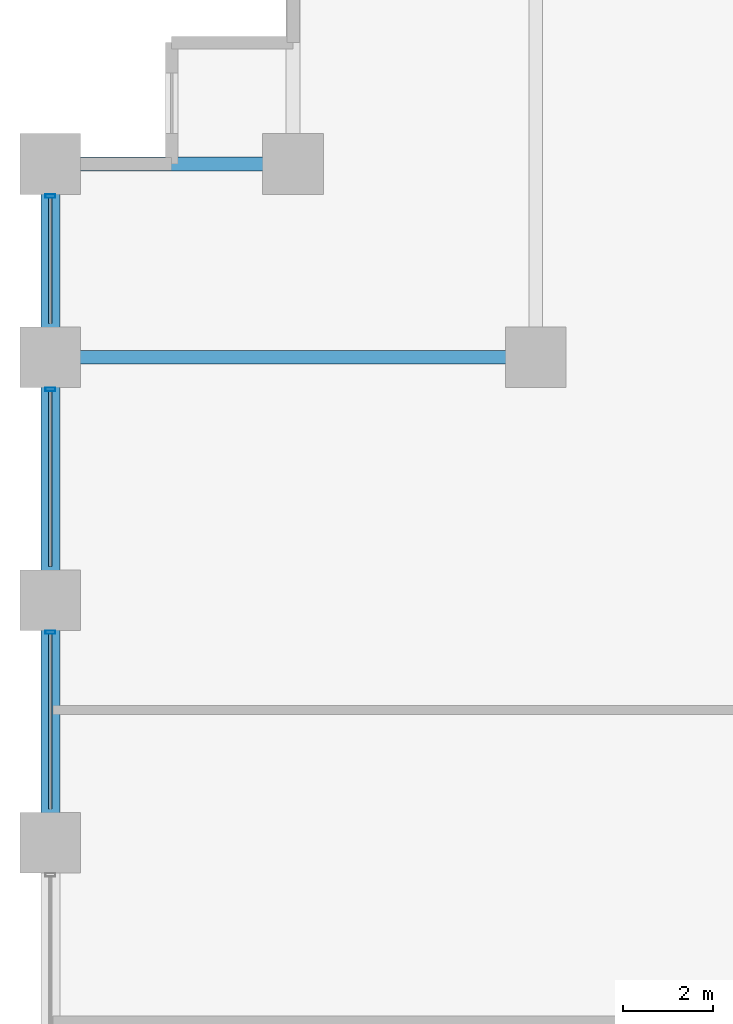
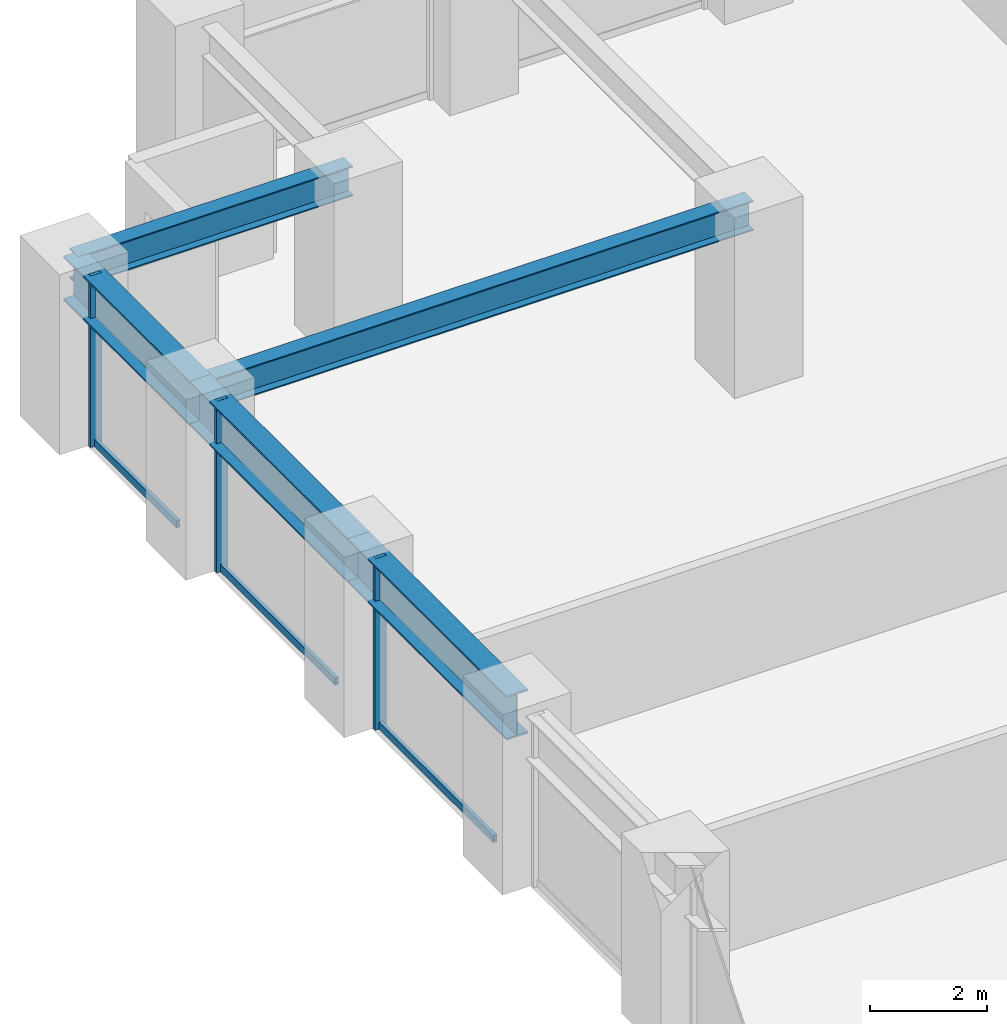
# One storey, part 10 of 24: 6 members, 5 beams, 1 element without a shape of its own.
"""IFC4 building model written with IfcOpenShell, lengths in metres."""

from ifc_helpers import new_model, si_unit, direction, frame, origin, origin_2d, place, context, subcontext, project, spatial, hollow_rectangle, i_section, extrude, material, layer, layer_set, material_profile, profile_set, type_object, element, aggregate, save


model = new_model("IFC4")

# Units and contexts
model_context = context("Model", 3, precision=1e-05, world=origin(), true_north=direction((0.0, 1.0)))
body_context = subcontext(model_context, "Body", "Model", "MODEL_VIEW")
ifc_project = project(units=[si_unit("LENGTHUNIT", "METRE"), si_unit("AREAUNIT", "SQUARE_METRE"), si_unit("VOLUMEUNIT", "CUBIC_METRE"), si_unit("PLANEANGLEUNIT", "RADIAN"), si_unit("MASSUNIT", "GRAM", prefix="KILO")], contexts=[model_context])

# Site, building, storey
site_placement = place(None, origin())
site = spatial("IfcSite", under=ifc_project, at=site_placement, CompositionType="ELEMENT")
building_placement = place(site_placement, origin())
building = spatial("IfcBuilding", under=site, at=building_placement, Name="Surkhivell Harbour Commons", CompositionType="ELEMENT")
storey_placement = place(building_placement, frame((0.0, 0.0, 26.25)))
storey = spatial("IfcBuildingStorey", under=building, at=storey_placement, Name="L06", CompositionType="ELEMENT", Elevation=26.25)

# Beams
ifc_material_1 = material(Name="Steel S355", Category="steel")
ifc_material_profile_1 = material_profile(ifc_material_1, i_section(OverallWidth=0.306884765625, OverallDepth=0.6201171875, WebThickness=0.01416015625, FlangeThickness=0.023681640625, at=origin_2d()), Name="UB610x305x179")
ifc_profile_set_1 = profile_set([ifc_material_profile_1], Name="Steel S355")
beam_type_1 = type_object("IfcBeamType", Name="BM-GRD-610A", PredefinedType="BEAM", material=ifc_profile_set_1)
beam_1_placement = place(storey_placement, frame((-32.39990234375, 16.199951171875, 3.260009765625), z_axis=(1.0, 0.0, 0.0), x_axis=(0.0, 1.0, 0.0)))
element("IfcBeam", 1, at=beam_1_placement, inside=storey, type_object=beam_type_1, Name="L06 Floor Girder (-32.4,16.2)", PredefinedType="BEAM", context=body_context, shape_type="SweptSolid", body=[
    extrude(i_section(OverallWidth=0.306884765625, OverallDepth=0.6201171875, WebThickness=0.01416015625, FlangeThickness=0.023681640625, at=origin_2d()), origin(), (0.0, 0.0, 1.0), 10.7998046875),
])
beam_2_placement = place(storey_placement, frame((-32.39990234375, 20.5, 3.260009765625), z_axis=(1.0, 0.0, 0.0), x_axis=(0.0, 1.0, 0.0)))
element("IfcBeam", 2, at=beam_2_placement, inside=storey, type_object=beam_type_1, Name="L06 Floor Girder (-32.4,20.5)", PredefinedType="BEAM", context=body_context, shape_type="SweptSolid", body=[
    extrude(i_section(OverallWidth=0.306884765625, OverallDepth=0.6201171875, WebThickness=0.01416015625, FlangeThickness=0.023681640625, at=origin_2d()), origin(), (0.0, 0.0, 1.0), 5.39990234375),
])
ifc_material_2 = material(Name="Steel S460", Category="steel")
ifc_material_profile_2 = material_profile(ifc_material_2, i_section(OverallWidth=0.419921875, OverallDepth=0.9208984375, WebThickness=0.021484375, FlangeThickness=0.03662109375, at=origin_2d()), Name="UB914x419x388")
ifc_profile_set_2 = profile_set([ifc_material_profile_2], Name="Steel S460")
beam_type_2 = type_object("IfcBeamType", Name="BM-SPN-914A", PredefinedType="SPANDREL", material=ifc_profile_set_2)
beam_3_placement = place(storey_placement, frame((-32.39990234375, 5.39990234375, 3.109619140625), z_axis=(0.0, 1.0, 0.0), x_axis=(-1.0, 0.0, 0.0)))
element("IfcBeam", 3, at=beam_3_placement, inside=storey, type_object=beam_type_2, Name="L06 Tube Spandrel (-32.4,5.4)", PredefinedType="SPANDREL", context=body_context, shape_type="SweptSolid", body=[
    extrude(i_section(OverallWidth=0.419921875, OverallDepth=0.9208984375, WebThickness=0.021484375, FlangeThickness=0.03662109375, at=origin_2d()), origin(), (0.0, 0.0, 1.0), 5.400146484375),
])
beam_4_placement = place(storey_placement, frame((-32.39990234375, 10.800048828125, 3.109619140625), z_axis=(0.0, 1.0, 0.0), x_axis=(-1.0, 0.0, 0.0)))
element("IfcBeam", 4, at=beam_4_placement, inside=storey, type_object=beam_type_2, Name="L06 Tube Spandrel (-32.4,10.8)", PredefinedType="SPANDREL", context=body_context, shape_type="SweptSolid", body=[
    extrude(i_section(OverallWidth=0.419921875, OverallDepth=0.9208984375, WebThickness=0.021484375, FlangeThickness=0.03662109375, at=origin_2d()), origin(), (0.0, 0.0, 1.0), 5.39990234375),
])
beam_5_placement = place(storey_placement, frame((-32.39990234375, 16.199951171875, 3.109619140625), z_axis=(0.0, 1.0, 0.0), x_axis=(-1.0, 0.0, 0.0)))
element("IfcBeam", 5, at=beam_5_placement, inside=storey, type_object=beam_type_2, Name="L06 Tube Spandrel (-32.4,16.2)", PredefinedType="SPANDREL", context=body_context, shape_type="SweptSolid", body=[
    extrude(i_section(OverallWidth=0.419921875, OverallDepth=0.9208984375, WebThickness=0.021484375, FlangeThickness=0.03662109375, at=origin_2d()), origin(), (0.0, 0.0, 1.0), 4.300048828125),
])

# Curtain wall, members
ifc_material_3 = material(Name="Anodised pale-metal aluminium and insulated glazing", Category="aluminium")
ifc_layer = layer(ifc_material_3, 0.219970703125)
ifc_layer_set = layer_set([ifc_layer], Name="Anodised pale-metal aluminium and insulated glazing")
curtain_wall_type = type_object("IfcCurtainWallType", Name="CW-SYS-Z1", PredefinedType="NOTDEFINED", material=ifc_layer_set)
curtain_wall_placement = place(storey_placement, origin())
curtain_wall = element("IfcCurtainWall", 6, at=curtain_wall_placement, inside=storey, type_object=curtain_wall_type, Name="L06 Curtain Wall CW-L06-E12S1", PredefinedType="NOTDEFINED")
ifc_material_4 = material(Name="Anodised pale-metal aluminium alloy 6063-T6", Category="aluminium")
ifc_material_profile_3 = material_profile(ifc_material_4, hollow_rectangle(XDim=0.074951171875, YDim=0.219970703125, WallThickness=0.00390625, at=origin_2d()), Name="ALU-MULL-75x220")
ifc_profile_set_3 = profile_set([ifc_material_profile_3], Name="Anodised pale-metal aluminium alloy 6063-T6")
member_type_1 = type_object("IfcMemberType", Name="CWM-220", PredefinedType="MULLION", material=ifc_profile_set_3)
member_1_placement = place(storey_placement, frame((-32.39990234375, 19.785400390625, 0.0), z_axis=(0.0, 0.0, 1.0), x_axis=(0.0, -1.0, 0.0)))
member_1 = element("IfcMember", 7, at=member_1_placement, type_object=member_type_1, Name="CW-Z1 mullion 1", PredefinedType="MULLION", context=body_context, shape_type="SweptSolid", body=[
    extrude(hollow_rectangle(XDim=0.074951171875, YDim=0.219970703125, WallThickness=0.00390625, at=origin_2d()), origin(), (0.0, 0.0, 1.0), 3.570068359375),
])
member_2_placement = place(storey_placement, frame((-32.39990234375, 15.485595703125, 0.0), z_axis=(0.0, 0.0, 1.0), x_axis=(0.0, -1.0, 0.0)))
member_2 = element("IfcMember", 8, at=member_2_placement, type_object=member_type_1, Name="CW-Z1 mullion 2", PredefinedType="MULLION", context=body_context, shape_type="SweptSolid", body=[
    extrude(hollow_rectangle(XDim=0.074951171875, YDim=0.219970703125, WallThickness=0.00390625, at=origin_2d()), origin(), (0.0, 0.0, 1.0), 3.570068359375),
])
member_3_placement = place(storey_placement, frame((-32.39990234375, 10.08544921875, 0.0), z_axis=(0.0, 0.0, 1.0), x_axis=(0.0, -1.0, 0.0)))
member_3 = element("IfcMember", 9, at=member_3_placement, type_object=member_type_1, Name="CW-Z1 mullion 3", PredefinedType="MULLION", context=body_context, shape_type="SweptSolid", body=[
    extrude(hollow_rectangle(XDim=0.074951171875, YDim=0.219970703125, WallThickness=0.00390625, at=origin_2d()), origin(), (0.0, 0.0, 1.0), 3.570068359375),
])
ifc_material_profile_4 = material_profile(ifc_material_4, hollow_rectangle(XDim=0.074951171875, YDim=0.14990234375, WallThickness=0.00341796875, at=origin_2d()), Name="ALU-TRAN-75x150")
ifc_profile_set_4 = profile_set([ifc_material_profile_4], Name="Anodised pale-metal aluminium alloy 6063-T6")
member_type_2 = type_object("IfcMemberType", Name="CWT-150", PredefinedType="USERDEFINED", material=ifc_profile_set_4)
member_4_placement = place(storey_placement, frame((-32.39990234375, 19.748046875, 0.074951171875), z_axis=(0.0, -1.0, 0.0), x_axis=(1.0, 0.0, 0.0)))
member_4 = element("IfcMember", 10, at=member_4_placement, type_object=member_type_2, Name="CW-Z1 transom 1.1", ObjectType="TRANSOM", PredefinedType="USERDEFINED", context=body_context, shape_type="SweptSolid", body=[
    extrude(hollow_rectangle(XDim=0.074951171875, YDim=0.14990234375, WallThickness=0.00341796875, at=origin_2d()), origin(), (0.0, 0.0, 1.0), 2.796142578125),
])
member_5_placement = place(storey_placement, frame((-32.39990234375, 15.447998046875, 0.074951171875), z_axis=(0.0, -1.0, 0.0), x_axis=(1.0, 0.0, 0.0)))
member_5 = element("IfcMember", 11, at=member_5_placement, type_object=member_type_2, Name="CW-Z1 transom 2.1", ObjectType="TRANSOM", PredefinedType="USERDEFINED", context=body_context, shape_type="SweptSolid", body=[
    extrude(hollow_rectangle(XDim=0.074951171875, YDim=0.14990234375, WallThickness=0.00341796875, at=origin_2d()), origin(), (0.0, 0.0, 1.0), 3.89599609375),
])
member_6_placement = place(storey_placement, frame((-32.39990234375, 10.048095703125, 0.074951171875), z_axis=(0.0, -1.0, 0.0), x_axis=(1.0, 0.0, 0.0)))
member_6 = element("IfcMember", 12, at=member_6_placement, type_object=member_type_2, Name="CW-Z1 transom 3.1", ObjectType="TRANSOM", PredefinedType="USERDEFINED", context=body_context, shape_type="SweptSolid", body=[
    extrude(hollow_rectangle(XDim=0.074951171875, YDim=0.14990234375, WallThickness=0.00341796875, at=origin_2d()), origin(), (0.0, 0.0, 1.0), 3.89599609375),
])
aggregate(curtain_wall, [member_1, member_4, member_2, member_5, member_3, member_6])

save(model, "model.ifc")
